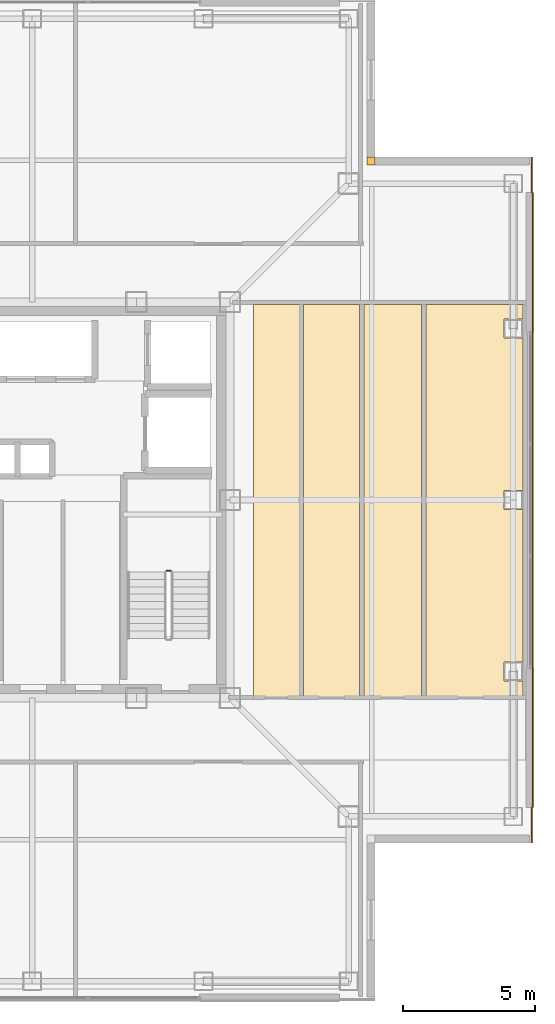
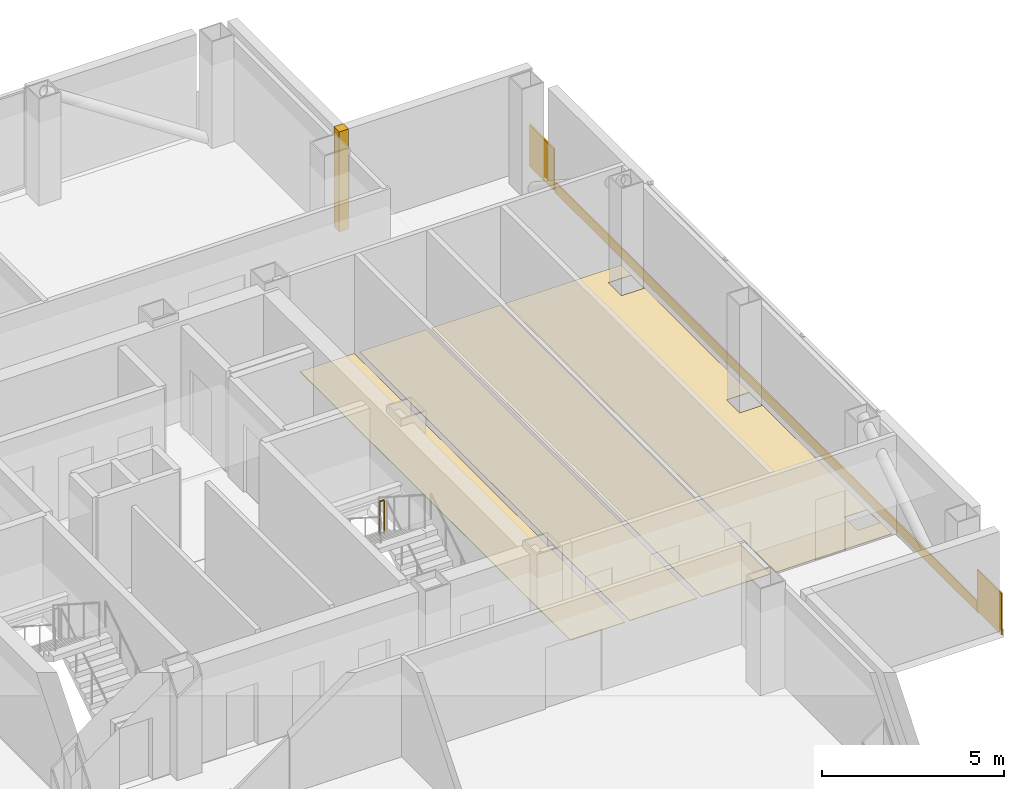
# One storey, part 15 of 16: 8 coverings, 1 railing.
"""IFC4 building model written with IfcOpenShell, lengths in metres."""

from ifc_helpers import new_model, si_unit, direction, frame, frame_2d, origin, origin_2d, place, context, subcontext, project, spatial, polyline, rectangle, circle, outline, extrude, material, layer, layer_set, type_object, element, save


model = new_model("IFC4")

# Units and contexts
model_context = context("Model", 3, precision=1e-05, world=origin(), true_north=direction((0.0, 1.0)))
body_context = subcontext(model_context, "Body", "Model", "MODEL_VIEW")
ifc_project = project(units=[si_unit("LENGTHUNIT", "METRE"), si_unit("AREAUNIT", "SQUARE_METRE"), si_unit("VOLUMEUNIT", "CUBIC_METRE"), si_unit("PLANEANGLEUNIT", "RADIAN"), si_unit("MASSUNIT", "GRAM", prefix="KILO")], contexts=[model_context])

# Site, building, storey
site_placement = place(None, origin())
site = spatial("IfcSite", under=ifc_project, at=site_placement, CompositionType="ELEMENT")
building_placement = place(site_placement, origin())
building = spatial("IfcBuilding", under=site, at=building_placement, Name="Trevonay Congress Spire", CompositionType="ELEMENT")
storey_placement = place(building_placement, frame((0.0, 0.0, 279.199951171875)))
storey = spatial("IfcBuildingStorey", under=building, at=storey_placement, Name="L73", CompositionType="ELEMENT", Elevation=279.199951171875)

# Coverings
ifc_material_1 = material(Name="Polished Granite Floor Tile", Category="masonry")
ifc_layer_1 = layer(ifc_material_1, 0.02001953125, Name="Polished Granite Floor Tile")
ifc_layer_set_1 = layer_set([ifc_layer_1], Name="Polished Granite Floor Tile")
covering_type_1 = type_object("IfcCoveringType", Name="COV-FLOOR-STONE", PredefinedType="FLOORING", material=ifc_layer_set_1)
covering_1_placement = place(storey_placement, origin())
element("IfcCovering", 1, at=covering_1_placement, inside=storey, type_object=covering_type_1, Name="L73 Female Restroom WC floor finish", PredefinedType="FLOORING", context=body_context, shape_type="SweptSolid", body=[
    extrude(outline(polyline([(8.39990234375, -7.47998046875), (10.1298828125, -7.47998046875), (10.1298828125, 7.419921875), (8.39990234375, 7.419921875), (8.39990234375, -7.47998046875)])), origin(), (0.0, 0.0, 1.0), 0.02001953125),
])
covering_2_placement = place(storey_placement, origin())
element("IfcCovering", 2, at=covering_2_placement, inside=storey, type_object=covering_type_1, Name="L73 Floor Supplies and Copy Room floor finish", PredefinedType="FLOORING", context=body_context, shape_type="SweptSolid", body=[
    extrude(outline(polyline([(10.2900390625, -7.47998046875), (12.419921875, -7.47998046875), (12.419921875, 7.419921875), (10.2900390625, 7.419921875), (10.2900390625, -7.47998046875)])), origin(), (0.0, 0.0, 1.0), 0.02001953125),
])
covering_3_placement = place(storey_placement, origin())
element("IfcCovering", 3, at=covering_3_placement, inside=storey, type_object=covering_type_1, Name="L73 Male Restroom WC floor finish", PredefinedType="FLOORING", context=body_context, shape_type="SweptSolid", body=[
    extrude(outline(polyline([(12.580078125, -7.47998046875), (14.77001953125, -7.47998046875), (14.77001953125, 7.419921875), (12.580078125, 7.419921875), (12.580078125, -7.47998046875)])), origin(), (0.0, 0.0, 1.0), 0.02001953125),
])
covering_4_placement = place(storey_placement, origin())
element("IfcCovering", 4, at=covering_4_placement, inside=storey, type_object=covering_type_1, Name="L73 Floor Supplies and Copy Room floor finish", PredefinedType="FLOORING", context=body_context, shape_type="SweptSolid", body=[
    extrude(outline(polyline([(14.929931640625, 7.419921875), (18.6201171875, 7.419921875), (18.6201171875, -7.47998046875), (14.929931640625, -7.47998046875), (14.929931640625, 7.419921875)]), holes=[polyline([(17.889892578125, -6.860107421875), (18.610107421875, -6.860107421875), (18.610107421875, -6.139892578125), (17.889892578125, -6.139892578125), (17.889892578125, -6.860107421875)]), polyline([(17.889892578125, 0.360107421875), (17.889892578125, -0.360107421875), (18.610107421875, -0.360107421875), (18.610107421875, 0.360107421875), (17.889892578125, 0.360107421875)]), polyline([(17.889892578125, 6.860107421875), (17.889892578125, 6.139892578125), (18.610107421875, 6.139892578125), (18.610107421875, 6.860107421875), (17.889892578125, 6.860107421875)])]), origin(), (0.0, 0.0, 1.0), 0.02001953125),
])
ifc_material_2 = material(Name="Pale Anodised Aluminium EN AW-6063-T6", Category="aluminium")
ifc_layer_2 = layer(ifc_material_2, 0.0400390625, Name="Pale Anodised Aluminium EN AW-6063-T6")
ifc_layer_set_2 = layer_set([ifc_layer_2], Name="Pale Anodised Aluminium EN AW-6063-T6")
covering_type_2 = type_object("IfcCoveringType", Name="COV-SPANDREL-PALE-METAL", PredefinedType="CLADDING", material=ifc_layer_set_2)
covering_5_placement = place(storey_placement, frame((18.97998046875, -11.64990234375, -0.239990234375), z_axis=(0.0, 0.0, 1.0), x_axis=(0.0, 1.0, 0.0)))
element("IfcCovering", 5, at=covering_5_placement, inside=storey, type_object=covering_type_2, Name="L73 E pale-metal slab-edge spandrel cladding", PredefinedType="CLADDING", context=body_context, shape_type="SweptSolid", body=[
    extrude(rectangle(XDim=23.2998046875, YDim=0.0400390625, at=frame_2d((11.64990234375, 0.0))), origin(), (0.0, 0.0, 1.0), 0.360107421875),
])
covering_6_placement = place(storey_placement, frame((18.93994140625, -11.64990234375, -0.14990234375), z_axis=(0.0, 0.0, 1.0), x_axis=(0.0, -1.0, 0.0)))
element("IfcCovering", 6, at=covering_6_placement, inside=storey, type_object=covering_type_2, Name="L73 SE corner pier spandrel cladding 1", PredefinedType="CLADDING", context=body_context, shape_type="SweptSolid", body=[
    extrude(rectangle(XDim=1.35009765625, YDim=0.0400390625, at=frame_2d((0.675048828125, 0.0))), origin(), (0.0, 0.0, 1.0), 1.39990234375),
])
covering_7_placement = place(storey_placement, origin())
element("IfcCovering", 7, at=covering_7_placement, inside=storey, type_object=covering_type_2, Name="L73 NE re-entrant notch corner closure trim", PredefinedType="CLADDING", context=body_context, shape_type="SweptSolid", body=[
    extrude(outline(polyline([(12.699951171875, 12.699951171875), (13.0, 12.699951171875), (13.0, 13.0), (12.699951171875, 13.0), (12.699951171875, 12.699951171875)])), origin(), (0.0, 0.0, 1.0), 3.360107421875),
])
covering_8_placement = place(storey_placement, frame((18.93994140625, 11.64990234375, -0.14990234375), z_axis=(0.0, 0.0, 1.0), x_axis=(0.0, 1.0, 0.0)))
element("IfcCovering", 8, at=covering_8_placement, inside=storey, type_object=covering_type_2, Name="L73 NE corner pier spandrel cladding 1", PredefinedType="CLADDING", context=body_context, shape_type="SweptSolid", body=[
    extrude(rectangle(XDim=1.35009765625, YDim=0.0400390625, at=frame_2d((0.675048828125, 0.0))), origin(), (0.0, 0.0, 1.0), 1.39990234375),
])

# Railing
railing_type = type_object("IfcRailingType", Name="RAL-STAIR-GUARD-110", PredefinedType="GUARDRAIL", material=ifc_material_2)
railing_placement = place(storey_placement, frame((5.25, -2.679931640625, 1.800048828125)))
element("IfcRailing", 9, at=railing_placement, inside=storey, type_object=railing_type, Name="L73 ST-2 stair guard 2", PredefinedType="GUARDRAIL", context=body_context, shape_type="SweptSolid", body=[
    extrude(circle(Radius=0.02392578125, at=origin_2d()), frame((0.0, 0.0, 1.1259765625), z_axis=(-1.0, 0.0, 0.0), x_axis=(0.0, -1.0, 0.0)), (0.0, 0.0, 1.0), 0.14990234375),
    extrude(circle(Radius=0.02099609375, at=origin_2d()), origin(), (0.0, 0.0, 1.0), 1.101806640625),
    extrude(circle(Radius=0.02099609375, at=origin_2d()), frame((-0.14990234375, 0.0, 0.0)), (0.0, 0.0, 1.0), 1.101806640625),
])

save(model, "model.ifc")
